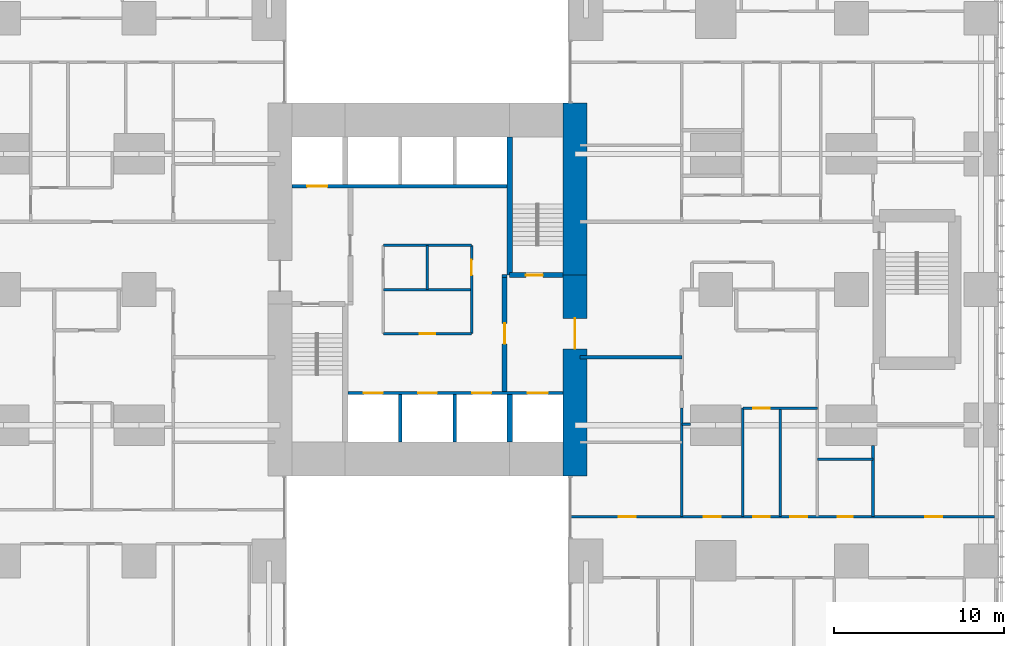
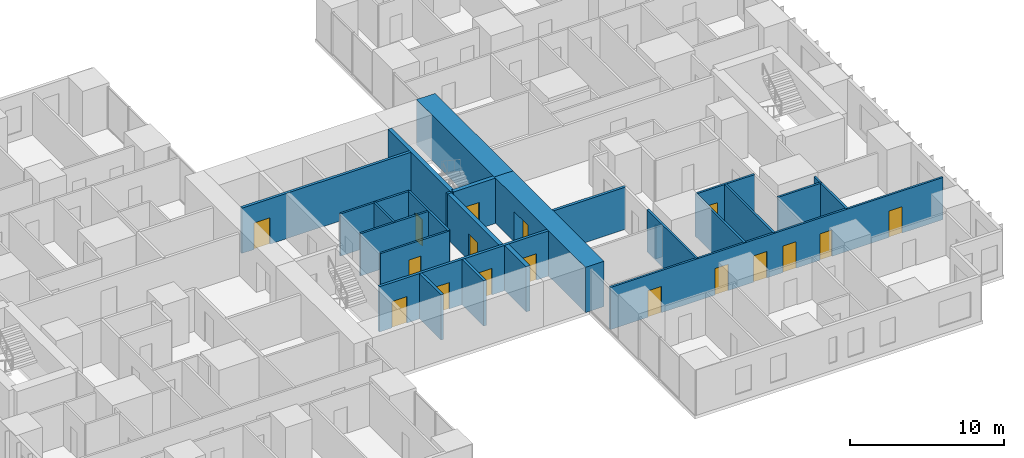
# One storey, part 15 of 20: 25 walls, 17 doors, 17 openings.
"""IFC4 building model written with IfcOpenShell, lengths in metres."""

from ifc_helpers import new_model, si_unit, direction, frame, frame_2d, origin, place, context, subcontext, project, spatial, rectangle, extrude, material, layer, layer_set, type_object, element, fill, save


model = new_model("IFC4")

# Units and contexts
model_context = context("Model", 3, precision=1e-05, world=origin(), true_north=direction((0.0, 1.0)))
body_context = subcontext(model_context, "Body", "Model", "MODEL_VIEW")
ifc_project = project(units=[si_unit("LENGTHUNIT", "METRE"), si_unit("AREAUNIT", "SQUARE_METRE"), si_unit("VOLUMEUNIT", "CUBIC_METRE"), si_unit("PLANEANGLEUNIT", "RADIAN"), si_unit("MASSUNIT", "GRAM", prefix="KILO")], contexts=[model_context])

# Site, building, storey
site_placement = place(None, origin())
site = spatial("IfcSite", under=ifc_project, at=site_placement, CompositionType="ELEMENT")
building_placement = place(site_placement, origin())
building = spatial("IfcBuilding", under=site, at=building_placement, Name="Cleftline Residences", CompositionType="ELEMENT")
storey_placement = place(building_placement, frame((0.0, 0.0, 76.39990234375)))
storey = spatial("IfcBuildingStorey", under=building, at=storey_placement, Name="L19", CompositionType="ELEMENT", Elevation=76.39990234375)

# Wall, opening, door
ifc_material_1 = material(Name="Concrete B70", Category="concrete")
ifc_layer_1 = layer(ifc_material_1, 1.39990234375)
ifc_layer_set_1 = layer_set([ifc_layer_1], Name="CORE WALL 1400")
wall_type_1 = type_object("IfcWallType", Name="CORE WALL 1400", PredefinedType="SHEAR", material=ifc_layer_set_1)
wall_1_placement = place(storey_placement, frame((41.699951171875, 13.0, 0.0), z_axis=(0.0, 0.0, 1.0), x_axis=(0.0, 1.0, 0.0)))
wall_1 = element("IfcWall", 1, at=wall_1_placement, inside=storey, type_object=wall_type_1, Name="Core wall E", PredefinedType="SHEAR", context=body_context, shape_type="SweptSolid", body=[
    extrude(rectangle(XDim=11.85009765625, YDim=1.39990234375, at=frame_2d((5.925048828125, 0.0))), origin(), (0.0, 0.0, 1.0), 3.60009765625),
])
opening_1_placement = place(wall_1_placement, frame((7.5, 0.0, 0.0)))
opening_1 = element("IfcOpeningElement", 2, at=opening_1_placement, cuts=wall_1, Name="Opening D7", PredefinedType="OPENING", context=body_context, shape_type="SweptSolid", body=[
    extrude(rectangle(XDim=1.800048828125, YDim=2.39990234375, at=frame_2d((0.89990234375, 1.199951171875))), frame((0.0, 0.7099609375, 0.0), z_axis=(0.0, -1.0, 0.0), x_axis=(1.0, 0.0, 0.0)), (0.0, 0.0, 1.0), 1.419921875),
])
ifc_material_2 = material(Name="Steel", Category="steel")
door_type_1 = type_object("IfcDoorType", Name="WING DOOR 1800X2400", OperationType="DOUBLE_DOOR_DOUBLE_SWING", PredefinedType="DOOR", material=ifc_material_2)
door_1_placement = place(opening_1_placement, origin())
door_1 = element("IfcDoor", 3, at=door_1_placement, inside=storey, type_object=door_type_1, Name="East wing door", OperationType="DOUBLE_DOOR_DOUBLE_SWING", OverallHeight=2.39990234375, OverallWidth=1.800048828125, PredefinedType="DOOR", context=body_context, shape_type="SweptSolid", body=[
    extrude(rectangle(XDim=1.800048828125, YDim=2.39990234375, at=frame_2d((0.89990234375, 1.199951171875))), frame((0.0, 0.02490234375, 0.0), z_axis=(0.0, -1.0, 0.0), x_axis=(1.0, 0.0, 0.0)), (0.0, 0.0, 1.0), 0.050048828125),
])
fill(opening_1, door_1)

# Walls
wall_2_placement = place(storey_placement, frame((41.699951171875, 24.85009765625, 0.0), z_axis=(0.0, 0.0, 1.0), x_axis=(0.0, 1.0, 0.0)))
element("IfcWall", 4, at=wall_2_placement, inside=storey, type_object=wall_type_1, Name="Core wall E1", PredefinedType="SHEAR", context=body_context, shape_type="SweptSolid", body=[
    extrude(rectangle(XDim=10.14990234375, YDim=1.39990234375, at=frame_2d((5.074951171875, 0.0))), origin(), (0.0, 0.0, 1.0), 3.60009765625),
])
ifc_material_3 = material(Name="Concrete B70", Category="concrete")
ifc_layer_2 = layer(ifc_material_3, 0.300048828125)
ifc_layer_set_2 = layer_set([ifc_layer_2], Name="CORE WALL 300")
wall_type_2 = type_object("IfcWallType", Name="CORE WALL 300", PredefinedType="SHEAR", material=ifc_layer_set_2)
wall_3_placement = place(storey_placement, frame((37.85009765625, 24.85009765625, 0.0), z_axis=(0.0, 0.0, 1.0), x_axis=(0.0, 1.0, 0.0)))
element("IfcWall", 5, at=wall_3_placement, inside=storey, type_object=wall_type_2, Name="Core wall SB-W", PredefinedType="SHEAR", context=body_context, shape_type="SweptSolid", body=[
    extrude(rectangle(XDim=8.14990234375, YDim=0.300048828125, at=frame_2d((4.074951171875, 0.0))), origin(), (0.0, 0.0, 1.0), 3.60009765625),
])

# Wall, opening, door
wall_4_placement = place(storey_placement, frame((37.85009765625, 24.85009765625, 0.0), z_axis=(0.0, 0.0, 1.0), x_axis=(1.0, 0.0, 0.0)))
wall_4 = element("IfcWall", 6, at=wall_4_placement, inside=storey, type_object=wall_type_2, Name="Core wall SB-S", PredefinedType="SHEAR", context=body_context, shape_type="SweptSolid", body=[
    extrude(rectangle(XDim=3.14990234375, YDim=0.300048828125, at=frame_2d((1.574951171875, 0.0))), origin(), (0.0, 0.0, 1.0), 3.60009765625),
])
opening_2_placement = place(wall_4_placement, frame((0.949951171875, 0.0, 0.0)))
opening_2 = element("IfcOpeningElement", 7, at=opening_2_placement, cuts=wall_4, Name="Opening D5", PredefinedType="OPENING", context=body_context, shape_type="SweptSolid", body=[
    extrude(rectangle(XDim=1.0, YDim=2.10009765625, at=frame_2d((0.5, 1.050048828125))), frame((0.0, 0.159912109375, 0.0), z_axis=(0.0, -1.0, 0.0), x_axis=(1.0, 0.0, 0.0)), (0.0, 0.0, 1.0), 0.320068359375),
])
ifc_material_4 = material(Name="Steel", Category="steel")
door_type_2 = type_object("IfcDoorType", Name="STAIR DOOR 1000X2100", OperationType="SINGLE_SWING_LEFT", PredefinedType="DOOR", material=ifc_material_4)
door_2_placement = place(opening_2_placement, origin())
door_2 = element("IfcDoor", 8, at=door_2_placement, inside=storey, type_object=door_type_2, Name="Stair B door", OperationType="SINGLE_SWING_RIGHT", OverallHeight=2.10009765625, OverallWidth=1.0, PredefinedType="DOOR", context=body_context, shape_type="SweptSolid", body=[
    extrude(rectangle(XDim=1.0, YDim=2.10009765625, at=frame_2d((0.5, 1.050048828125))), frame((0.0, 0.02490234375, 0.0), z_axis=(0.0, -1.0, 0.0), x_axis=(1.0, 0.0, 0.0)), (0.0, 0.0, 1.0), 0.050048828125),
])
fill(opening_2, door_2)

# Walls
wall_5_placement = place(storey_placement, frame((37.85009765625, 15.0, 0.0), z_axis=(0.0, 0.0, 1.0), x_axis=(0.0, 1.0, 0.0)))
element("IfcWall", 9, at=wall_5_placement, inside=storey, type_object=wall_type_2, Name="Lift shaft wall", PredefinedType="SHEAR", context=body_context, shape_type="SweptSolid", body=[
    extrude(rectangle(XDim=2.800048828125, YDim=0.300048828125, at=frame_2d((1.39990234375, 0.0))), origin(), (0.0, 0.0, 1.0), 3.60009765625),
])
ifc_material_5 = material(Name="Concrete blockwork, fire rated", Category="masonry")
ifc_layer_3 = layer(ifc_material_5, 0.199951171875)
ifc_layer_set_3 = layer_set([ifc_layer_3], Name="FIRE WALL 200")
wall_type_3 = type_object("IfcWallType", Name="FIRE WALL 200", PredefinedType="PARTITIONING", material=ifc_layer_set_3)
wall_6_placement = place(storey_placement, frame((42.0, 20.0, 0.0), z_axis=(0.0, 0.0, 1.0), x_axis=(1.0, 0.0, 0.0)))
element("IfcWall", 10, at=wall_6_placement, inside=storey, type_object=wall_type_3, Name="Fire separating wall", PredefinedType="PARTITIONING", context=body_context, shape_type="SweptSolid", body=[
    extrude(rectangle(XDim=6.0, YDim=0.199951171875, at=frame_2d((3.0, 0.0))), origin(), (0.0, 0.0, 1.0), 3.35009765625),
])
wall_7_placement = place(storey_placement, frame((37.39990234375, 24.800048828125, 0.0), z_axis=(0.0, 0.0, 1.0), x_axis=(1.0, 0.0, 0.0)))
element("IfcWall", 11, at=wall_7_placement, inside=storey, type_object=wall_type_3, Name="Fire separating wall", PredefinedType="PARTITIONING", context=body_context, shape_type="SweptSolid", body=[
    extrude(rectangle(XDim=0.300048828125, YDim=0.199951171875, at=frame_2d((0.14990234375, 0.0))), origin(), (0.0, 0.0, 1.0), 3.60009765625),
])

# Wall, openings, doors
ifc_material_6 = material(Name="Gypsum board on steel studs", Category="steel")
ifc_layer_4 = layer(ifc_material_6, 0.14990234375)
ifc_layer_set_4 = layer_set([ifc_layer_4], Name="PARTITION 150")
wall_type_4 = type_object("IfcWallType", Name="PARTITION 150", PredefinedType="PARTITIONING", material=ifc_layer_set_4)
wall_8_placement = place(storey_placement, frame((41.43896484375, 10.60009765625, 0.0), z_axis=(0.0, 0.0, 1.0), x_axis=(1.0, 0.0, 0.0)))
wall_8 = element("IfcWall", 12, at=wall_8_placement, inside=storey, type_object=wall_type_4, Name="Partition", PredefinedType="PARTITIONING", context=body_context, shape_type="SweptSolid", body=[
    extrude(rectangle(XDim=25.010986328125, YDim=0.14990234375, at=frame_2d((12.50537109375, 0.0))), origin(), (0.0, 0.0, 1.0), 3.35009765625),
])
opening_3_placement = place(wall_8_placement, frame((10.760986328125, 0.0, 0.0)))
opening_3 = element("IfcOpeningElement", 13, at=opening_3_placement, cuts=wall_8, Name="Opening D2", PredefinedType="OPENING", context=body_context, shape_type="SweptSolid", body=[
    extrude(rectangle(XDim=1.0, YDim=2.10009765625, at=frame_2d((0.5, 1.050048828125))), frame((0.0, 0.0849609375, 0.0), z_axis=(0.0, -1.0, 0.0), x_axis=(1.0, 0.0, 0.0)), (0.0, 0.0, 1.0), 0.169921875),
])
opening_4_placement = place(wall_8_placement, frame((20.923583984375, 0.0, 0.0)))
opening_4 = element("IfcOpeningElement", 14, at=opening_4_placement, cuts=wall_8, Name="Opening D2", PredefinedType="OPENING", context=body_context, shape_type="SweptSolid", body=[
    extrude(rectangle(XDim=1.0, YDim=2.10009765625, at=frame_2d((0.5, 1.050048828125))), frame((0.0, 0.0849609375, 0.0), z_axis=(0.0, -1.0, 0.0), x_axis=(1.0, 0.0, 0.0)), (0.0, 0.0, 1.0), 0.169921875),
])
opening_5_placement = place(wall_8_placement, frame((15.74853515625, 0.0, 0.0)))
opening_5 = element("IfcOpeningElement", 15, at=opening_5_placement, cuts=wall_8, Name="Opening D1", PredefinedType="OPENING", context=body_context, shape_type="SweptSolid", body=[
    extrude(rectangle(XDim=0.89990234375, YDim=2.10009765625, at=frame_2d((0.449951171875, 1.050048828125))), frame((0.0, 0.0849609375, 0.0), z_axis=(0.0, -1.0, 0.0), x_axis=(1.0, 0.0, 0.0)), (0.0, 0.0, 1.0), 0.169921875),
])
opening_6_placement = place(wall_8_placement, frame((12.9609375, 0.0, 0.0)))
opening_6 = element("IfcOpeningElement", 16, at=opening_6_placement, cuts=wall_8, Name="Opening D2", PredefinedType="OPENING", context=body_context, shape_type="SweptSolid", body=[
    extrude(rectangle(XDim=1.0, YDim=2.10009765625, at=frame_2d((0.5, 1.050048828125))), frame((0.0, 0.0849609375, 0.0), z_axis=(0.0, -1.0, 0.0), x_axis=(1.0, 0.0, 0.0)), (0.0, 0.0, 1.0), 0.169921875),
])
opening_7_placement = place(wall_8_placement, frame((7.861083984375, 0.0, 0.0)))
opening_7 = element("IfcOpeningElement", 17, at=opening_7_placement, cuts=wall_8, Name="Opening D2", PredefinedType="OPENING", context=body_context, shape_type="SweptSolid", body=[
    extrude(rectangle(XDim=1.0, YDim=2.10009765625, at=frame_2d((0.5, 1.050048828125))), frame((0.0, 0.0849609375, 0.0), z_axis=(0.0, -1.0, 0.0), x_axis=(1.0, 0.0, 0.0)), (0.0, 0.0, 1.0), 0.169921875),
])
opening_8_placement = place(wall_8_placement, frame((2.8359375, 0.0, 0.0)))
opening_8 = element("IfcOpeningElement", 18, at=opening_8_placement, cuts=wall_8, Name="Opening D2", PredefinedType="OPENING", context=body_context, shape_type="SweptSolid", body=[
    extrude(rectangle(XDim=1.0, YDim=2.10009765625, at=frame_2d((0.5, 1.050048828125))), frame((0.0, 0.0849609375, 0.0), z_axis=(0.0, -1.0, 0.0), x_axis=(1.0, 0.0, 0.0)), (0.0, 0.0, 1.0), 0.169921875),
])
ifc_material_7 = material(Name="Timber veneer on solid core", Category="wood")
door_type_3 = type_object("IfcDoorType", Name="DOOR 1000X2100", OperationType="SINGLE_SWING_LEFT", PredefinedType="DOOR", material=ifc_material_7)
door_3_placement = place(opening_3_placement, origin())
door_3 = element("IfcDoor", 19, at=door_3_placement, inside=storey, type_object=door_type_3, Name="Door to residence hall", OperationType="SINGLE_SWING_RIGHT", OverallHeight=2.10009765625, OverallWidth=1.0, PredefinedType="DOOR", context=body_context, shape_type="SweptSolid", body=[
    extrude(rectangle(XDim=1.0, YDim=2.10009765625, at=frame_2d((0.5, 1.050048828125))), frame((0.0, 0.02490234375, 0.0), z_axis=(0.0, -1.0, 0.0), x_axis=(1.0, 0.0, 0.0)), (0.0, 0.0, 1.0), 0.050048828125),
])
fill(opening_3, door_3)
door_4_placement = place(opening_4_placement, origin())
door_4 = element("IfcDoor", 20, at=door_4_placement, inside=storey, type_object=door_type_3, Name="Door to sea-view living room", OperationType="SINGLE_SWING_LEFT", OverallHeight=2.10009765625, OverallWidth=1.0, PredefinedType="DOOR", context=body_context, shape_type="SweptSolid", body=[
    extrude(rectangle(XDim=1.0, YDim=2.10009765625, at=frame_2d((0.5, 1.050048828125))), frame((0.0, 0.02490234375, 0.0), z_axis=(0.0, -1.0, 0.0), x_axis=(1.0, 0.0, 0.0)), (0.0, 0.0, 1.0), 0.050048828125),
])
fill(opening_4, door_4)
door_5_placement = place(opening_6_placement, origin())
door_5 = element("IfcDoor", 21, at=door_5_placement, inside=storey, type_object=door_type_3, Name="Door to show kitchen", OperationType="SINGLE_SWING_LEFT", OverallHeight=2.10009765625, OverallWidth=1.0, PredefinedType="DOOR", context=body_context, shape_type="SweptSolid", body=[
    extrude(rectangle(XDim=1.0, YDim=2.10009765625, at=frame_2d((0.5, 1.050048828125))), frame((0.0, 0.02490234375, 0.0), z_axis=(0.0, -1.0, 0.0), x_axis=(1.0, 0.0, 0.0)), (0.0, 0.0, 1.0), 0.050048828125),
])
fill(opening_6, door_5)
door_6_placement = place(opening_7_placement, origin())
door_6 = element("IfcDoor", 22, at=door_6_placement, inside=storey, type_object=door_type_3, Name="Door to wet kitchen", OperationType="SINGLE_SWING_RIGHT", OverallHeight=2.10009765625, OverallWidth=1.0, PredefinedType="DOOR", context=body_context, shape_type="SweptSolid", body=[
    extrude(rectangle(XDim=1.0, YDim=2.10009765625, at=frame_2d((0.5, 1.050048828125))), frame((0.0, 0.02490234375, 0.0), z_axis=(0.0, -1.0, 0.0), x_axis=(1.0, 0.0, 0.0)), (0.0, 0.0, 1.0), 0.050048828125),
])
fill(opening_7, door_6)
door_7_placement = place(opening_8_placement, origin())
door_7 = element("IfcDoor", 23, at=door_7_placement, inside=storey, type_object=door_type_3, Name="Door to study", OperationType="SINGLE_SWING_RIGHT", OverallHeight=2.10009765625, OverallWidth=1.0, PredefinedType="DOOR", context=body_context, shape_type="SweptSolid", body=[
    extrude(rectangle(XDim=1.0, YDim=2.10009765625, at=frame_2d((0.5, 1.050048828125))), frame((0.0, 0.02490234375, 0.0), z_axis=(0.0, -1.0, 0.0), x_axis=(1.0, 0.0, 0.0)), (0.0, 0.0, 1.0), 0.050048828125),
])
fill(opening_8, door_7)
ifc_material_8 = material(Name="Timber veneer on solid core", Category="wood")
door_type_4 = type_object("IfcDoorType", Name="DOOR 900X2100", OperationType="SINGLE_SWING_LEFT", PredefinedType="DOOR", material=ifc_material_8)
door_8_placement = place(opening_5_placement, origin())
door_8 = element("IfcDoor", 24, at=door_8_placement, inside=storey, type_object=door_type_4, Name="Door to master bathroom", OperationType="SINGLE_SWING_LEFT", OverallHeight=2.10009765625, OverallWidth=0.89990234375, PredefinedType="DOOR", context=body_context, shape_type="SweptSolid", body=[
    extrude(rectangle(XDim=0.89990234375, YDim=2.10009765625, at=frame_2d((0.449951171875, 1.050048828125))), frame((0.0, 0.02490234375, 0.0), z_axis=(0.0, -1.0, 0.0), x_axis=(1.0, 0.0, 0.0)), (0.0, 0.0, 1.0), 0.050048828125),
])
fill(opening_5, door_8)

# Walls
wall_9_placement = place(storey_placement, frame((56.0, 14.0, 0.0), z_axis=(0.0, 0.0, 1.0), x_axis=(1.0, 0.0, 0.0)))
element("IfcWall", 25, at=wall_9_placement, inside=storey, type_object=wall_type_4, Name="Partition", PredefinedType="PARTITIONING", context=body_context, shape_type="SweptSolid", body=[
    extrude(rectangle(XDim=3.27490234375, YDim=0.14990234375, at=frame_2d((1.637451171875, 0.0))), origin(), (0.0, 0.0, 1.0), 3.35009765625),
])
wall_10_placement = place(storey_placement, frame((48.0, 16.050048828125, 0.0), z_axis=(0.0, 0.0, 1.0), x_axis=(1.0, 0.0, 0.0)))
element("IfcWall", 26, at=wall_10_placement, inside=storey, type_object=wall_type_4, Name="Partition", PredefinedType="PARTITIONING", context=body_context, shape_type="SweptSolid", body=[
    extrude(rectangle(XDim=0.5, YDim=0.14990234375, at=frame_2d((0.25, 0.0))), origin(), (0.0, 0.0, 1.0), 2.634033203125),
])

# Wall, opening, door
wall_11_placement = place(storey_placement, frame((51.60009765625, 17.0, 0.0), z_axis=(0.0, 0.0, 1.0), x_axis=(1.0, 0.0, 0.0)))
wall_11 = element("IfcWall", 27, at=wall_11_placement, inside=storey, type_object=wall_type_4, Name="Partition", PredefinedType="PARTITIONING", context=body_context, shape_type="SweptSolid", body=[
    extrude(rectangle(XDim=4.39990234375, YDim=0.14990234375, at=frame_2d((2.199951171875, 0.0))), origin(), (0.0, 0.0, 1.0), 3.35009765625),
])
opening_9_placement = place(wall_11_placement, frame((0.60009765625, 0.0, 0.0)))
opening_9 = element("IfcOpeningElement", 28, at=opening_9_placement, cuts=wall_11, Name="Opening D2", PredefinedType="OPENING", context=body_context, shape_type="SweptSolid", body=[
    extrude(rectangle(XDim=1.0, YDim=2.10009765625, at=frame_2d((0.5, 1.050048828125))), frame((0.0, 0.0849609375, 0.0), z_axis=(0.0, -1.0, 0.0), x_axis=(1.0, 0.0, 0.0)), (0.0, 0.0, 1.0), 0.169921875),
])
door_9_placement = place(opening_9_placement, origin())
door_9 = element("IfcDoor", 29, at=door_9_placement, inside=storey, type_object=door_type_3, Name="Door to residence passage", OperationType="SINGLE_SWING_RIGHT", OverallHeight=2.10009765625, OverallWidth=1.0, PredefinedType="DOOR", context=body_context, shape_type="SweptSolid", body=[
    extrude(rectangle(XDim=1.0, YDim=2.10009765625, at=frame_2d((0.5, 1.050048828125))), frame((0.0, 0.02490234375, 0.0), z_axis=(0.0, -1.0, 0.0), x_axis=(1.0, 0.0, 0.0)), (0.0, 0.0, 1.0), 0.050048828125),
])
fill(opening_9, door_9)

# Walls
for number, where, z_axis, x_axis, name in (
    (30, (48.0, 10.60009765625, 0.0), (0.0, 0.0, 1.0), (0.0, 1.0, 0.0), "Partition"),
    (31, (51.60009765625, 10.60009765625, 0.0), (0.0, 0.0, 1.0), (0.0, 1.0, 0.0), "Partition"),
    (32, (53.800048828125, 10.60009765625, 0.0), (0.0, 0.0, 1.0), (0.0, 1.0, 0.0), "Partition"),
):
    element("IfcWall", number, at=place(storey_placement, frame(where, z_axis=z_axis, x_axis=x_axis)), inside=storey, type_object=wall_type_4, Name=name, PredefinedType="PARTITIONING", context=body_context, shape_type="SweptSolid", body=[
        extrude(rectangle(XDim=6.39990234375, YDim=0.14990234375, at=frame_2d((3.199951171875, 0.0))), origin(), (0.0, 0.0, 1.0), 3.35009765625),
    ])
wall_12_placement = place(storey_placement, frame((59.27490234375, 10.60009765625, 0.0), z_axis=(0.0, 0.0, 1.0), x_axis=(0.0, 1.0, 0.0)))
element("IfcWall", 33, at=wall_12_placement, inside=storey, type_object=wall_type_4, Name="Partition", PredefinedType="PARTITIONING", context=body_context, shape_type="SweptSolid", body=[
    extrude(rectangle(XDim=4.199951171875, YDim=0.14990234375, at=frame_2d((2.10009765625, 0.0))), origin(), (0.0, 0.0, 1.0), 3.35009765625),
])

# Wall, opening, door
ifc_material_9 = material(Name="Fire-resisting gypsum board on steel studs", Category="steel")
ifc_layer_5 = layer(ifc_material_9, 0.14990234375)
ifc_layer_set_5 = layer_set([ifc_layer_5], Name="PARTITION 150 EI 60")
wall_type_5 = type_object("IfcWallType", Name="PARTITION 150 EI 60", PredefinedType="PARTITIONING", material=ifc_layer_set_5)
wall_13_placement = place(storey_placement, frame((30.39990234375, 21.39990234375, 0.0), z_axis=(0.0, 0.0, 1.0), x_axis=(1.0, 0.0, 0.0)))
wall_13 = element("IfcWall", 34, at=wall_13_placement, inside=storey, type_object=wall_type_5, Name="Core room partition", PredefinedType="PARTITIONING", context=body_context, shape_type="SweptSolid", body=[
    extrude(rectangle(XDim=5.2001953125, YDim=0.14990234375, at=frame_2d((2.60009765625, 0.0))), origin(), (0.0, 0.0, 1.0), 3.35009765625),
])
opening_10_placement = place(wall_13_placement, frame((2.14990234375, 0.0, 0.0)))
opening_10 = element("IfcOpeningElement", 35, at=opening_10_placement, cuts=wall_13, Name="Opening D1F30", PredefinedType="OPENING", context=body_context, shape_type="SweptSolid", body=[
    extrude(rectangle(XDim=0.89990234375, YDim=2.10009765625, at=frame_2d((0.449951171875, 1.050048828125))), frame((0.0, 0.0849609375, 0.0), z_axis=(0.0, -1.0, 0.0), x_axis=(1.0, 0.0, 0.0)), (0.0, 0.0, 1.0), 0.169921875),
])
ifc_material_10 = material(Name="Timber veneer on solid core", Category="wood")
door_type_5 = type_object("IfcDoorType", Name="DOOR 900X2100 EI 30", OperationType="SINGLE_SWING_LEFT", PredefinedType="DOOR", material=ifc_material_10)
door_10_placement = place(opening_10_placement, origin())
door_10 = element("IfcDoor", 36, at=door_10_placement, inside=storey, type_object=door_type_5, Name="Door to cleaner's store", OperationType="SINGLE_SWING_LEFT", OverallHeight=2.10009765625, OverallWidth=0.89990234375, PredefinedType="DOOR", context=body_context, shape_type="SweptSolid", body=[
    extrude(rectangle(XDim=0.89990234375, YDim=2.10009765625, at=frame_2d((0.449951171875, 1.050048828125))), frame((0.0, 0.02490234375, 0.0), z_axis=(0.0, -1.0, 0.0), x_axis=(1.0, 0.0, 0.0)), (0.0, 0.0, 1.0), 0.050048828125),
])
fill(opening_10, door_10)

# Wall
wall_14_placement = place(storey_placement, frame((30.39990234375, 26.60009765625, 0.0), z_axis=(0.0, 0.0, 1.0), x_axis=(1.0, 0.0, 0.0)))
element("IfcWall", 37, at=wall_14_placement, inside=storey, type_object=wall_type_5, Name="Core room partition", PredefinedType="PARTITIONING", context=body_context, shape_type="SweptSolid", body=[
    extrude(rectangle(XDim=5.2001953125, YDim=0.14990234375, at=frame_2d((2.60009765625, 0.0))), origin(), (0.0, 0.0, 1.0), 3.35009765625),
])

# Wall, opening, door
wall_15_placement = place(storey_placement, frame((35.60009765625, 21.39990234375, 0.0), z_axis=(0.0, 0.0, 1.0), x_axis=(0.0, 1.0, 0.0)))
wall_15 = element("IfcWall", 38, at=wall_15_placement, inside=storey, type_object=wall_type_5, Name="Core room partition", PredefinedType="PARTITIONING", context=body_context, shape_type="SweptSolid", body=[
    extrude(rectangle(XDim=5.2001953125, YDim=0.14990234375, at=frame_2d((2.60009765625, 0.0))), origin(), (0.0, 0.0, 1.0), 3.35009765625),
])
opening_11_placement = place(wall_15_placement, frame((3.449951171875, 0.0, 0.0)))
opening_11 = element("IfcOpeningElement", 39, at=opening_11_placement, cuts=wall_15, Name="Opening D1F30", PredefinedType="OPENING", context=body_context, shape_type="SweptSolid", body=[
    extrude(rectangle(XDim=0.89990234375, YDim=2.10009765625, at=frame_2d((0.449951171875, 1.050048828125))), frame((0.0, 0.0849609375, 0.0), z_axis=(0.0, -1.0, 0.0), x_axis=(1.0, 0.0, 0.0)), (0.0, 0.0, 1.0), 0.169921875),
])
door_11_placement = place(opening_11_placement, origin())
door_11 = element("IfcDoor", 40, at=door_11_placement, inside=storey, type_object=door_type_5, Name="Door to maintenance store", OperationType="SINGLE_SWING_LEFT", OverallHeight=2.10009765625, OverallWidth=0.89990234375, PredefinedType="DOOR", context=body_context, shape_type="SweptSolid", body=[
    extrude(rectangle(XDim=0.89990234375, YDim=2.10009765625, at=frame_2d((0.449951171875, 1.050048828125))), frame((0.0, 0.02490234375, 0.0), z_axis=(0.0, -1.0, 0.0), x_axis=(1.0, 0.0, 0.0)), (0.0, 0.0, 1.0), 0.050048828125),
])
fill(opening_11, door_11)

# Walls
wall_16_placement = place(storey_placement, frame((30.39990234375, 24.0, 0.0), z_axis=(0.0, 0.0, 1.0), x_axis=(1.0, 0.0, 0.0)))
element("IfcWall", 41, at=wall_16_placement, inside=storey, type_object=wall_type_5, Name="Core room partition", PredefinedType="PARTITIONING", context=body_context, shape_type="SweptSolid", body=[
    extrude(rectangle(XDim=5.2001953125, YDim=0.14990234375, at=frame_2d((2.60009765625, 0.0))), origin(), (0.0, 0.0, 1.0), 3.35009765625),
])
wall_17_placement = place(storey_placement, frame((33.0, 24.0, 0.0), z_axis=(0.0, 0.0, 1.0), x_axis=(0.0, 1.0, 0.0)))
element("IfcWall", 42, at=wall_17_placement, inside=storey, type_object=wall_type_5, Name="Core room partition", PredefinedType="PARTITIONING", context=body_context, shape_type="SweptSolid", body=[
    extrude(rectangle(XDim=2.60009765625, YDim=0.14990234375, at=frame_2d((1.300048828125, 0.0))), origin(), (0.0, 0.0, 1.0), 3.35009765625),
])

# Wall, openings, doors
ifc_material_11 = material(Name="Concrete blockwork, fire rated", Category="masonry")
ifc_layer_6 = layer(ifc_material_11, 0.199951171875)
ifc_layer_set_6 = layer_set([ifc_layer_6], Name="SHAFT WALL 200")
wall_type_6 = type_object("IfcWallType", Name="SHAFT WALL 200", PredefinedType="PARTITIONING", material=ifc_layer_set_6)
wall_18_placement = place(storey_placement, frame((28.300048828125, 17.89990234375, 0.0), z_axis=(0.0, 0.0, 1.0), x_axis=(1.0, 0.0, 0.0)))
wall_18 = element("IfcWall", 43, at=wall_18_placement, inside=storey, type_object=wall_type_6, Name="Lift shaft wall", PredefinedType="PARTITIONING", context=body_context, shape_type="SweptSolid", body=[
    extrude(rectangle(XDim=12.699951171875, YDim=0.199951171875, at=frame_2d((6.35009765625, 0.0))), origin(), (0.0, 0.0, 1.0), 3.60009765625),
])
opening_12_placement = place(wall_18_placement, frame((0.949951171875, 0.0, 0.0)))
opening_12 = element("IfcOpeningElement", 44, at=opening_12_placement, cuts=wall_18, Name="Opening LD1", PredefinedType="OPENING", context=body_context, shape_type="SweptSolid", body=[
    extrude(rectangle(XDim=1.10009765625, YDim=2.10009765625, at=frame_2d((0.550048828125, 1.050048828125))), frame((0.0, 0.10986328125, 0.0), z_axis=(0.0, -1.0, 0.0), x_axis=(1.0, 0.0, 0.0)), (0.0, 0.0, 1.0), 0.219970703125),
])
opening_13_placement = place(wall_18_placement, frame((4.14990234375, 0.0, 0.0)))
opening_13 = element("IfcOpeningElement", 45, at=opening_13_placement, cuts=wall_18, Name="Opening LD1", PredefinedType="OPENING", context=body_context, shape_type="SweptSolid", body=[
    extrude(rectangle(XDim=1.10009765625, YDim=2.10009765625, at=frame_2d((0.550048828125, 1.050048828125))), frame((0.0, 0.10986328125, 0.0), z_axis=(0.0, -1.0, 0.0), x_axis=(1.0, 0.0, 0.0)), (0.0, 0.0, 1.0), 0.219970703125),
])
opening_14_placement = place(wall_18_placement, frame((7.35009765625, 0.0, 0.0)))
opening_14 = element("IfcOpeningElement", 46, at=opening_14_placement, cuts=wall_18, Name="Opening LD1", PredefinedType="OPENING", context=body_context, shape_type="SweptSolid", body=[
    extrude(rectangle(XDim=1.10009765625, YDim=2.10009765625, at=frame_2d((0.550048828125, 1.050048828125))), frame((0.0, 0.10986328125, 0.0), z_axis=(0.0, -1.0, 0.0), x_axis=(1.0, 0.0, 0.0)), (0.0, 0.0, 1.0), 0.219970703125),
])
opening_15_placement = place(wall_18_placement, frame((10.60009765625, 0.0, 0.0)))
opening_15 = element("IfcOpeningElement", 47, at=opening_15_placement, cuts=wall_18, Name="Opening LD2", PredefinedType="OPENING", context=body_context, shape_type="SweptSolid", body=[
    extrude(rectangle(XDim=1.199951171875, YDim=2.10009765625, at=frame_2d((0.60009765625, 1.050048828125))), frame((0.0, 0.10986328125, 0.0), z_axis=(0.0, -1.0, 0.0), x_axis=(1.0, 0.0, 0.0)), (0.0, 0.0, 1.0), 0.219970703125),
])
ifc_material_12 = material(Name="Steel", Category="steel")
door_type_6 = type_object("IfcDoorType", Name="FIREFIGHTING LIFT LANDING DOOR 1200X2100", OperationType="SLIDING_TO_LEFT", PredefinedType="DOOR", material=ifc_material_12)
door_12_placement = place(opening_15_placement, origin())
door_12 = element("IfcDoor", 48, at=door_12_placement, inside=storey, type_object=door_type_6, Name="Lift FL2 landing door", OperationType="SLIDING_TO_LEFT", OverallHeight=2.10009765625, OverallWidth=1.199951171875, PredefinedType="DOOR", context=body_context, shape_type="SweptSolid", body=[
    extrude(rectangle(XDim=1.199951171875, YDim=2.10009765625, at=frame_2d((0.60009765625, 1.050048828125))), frame((0.0, 0.02490234375, 0.0), z_axis=(0.0, -1.0, 0.0), x_axis=(1.0, 0.0, 0.0)), (0.0, 0.0, 1.0), 0.050048828125),
])
fill(opening_15, door_12)
ifc_material_13 = material(Name="Steel", Category="steel")
door_type_7 = type_object("IfcDoorType", Name="LIFT LANDING DOOR 1100X2100", OperationType="SLIDING_TO_LEFT", PredefinedType="DOOR", material=ifc_material_13)
door_13_placement = place(opening_12_placement, origin())
door_13 = element("IfcDoor", 49, at=door_13_placement, inside=storey, type_object=door_type_7, Name="Lift P1 landing door", OperationType="SLIDING_TO_LEFT", OverallHeight=2.10009765625, OverallWidth=1.10009765625, PredefinedType="DOOR", context=body_context, shape_type="SweptSolid", body=[
    extrude(rectangle(XDim=1.10009765625, YDim=2.10009765625, at=frame_2d((0.550048828125, 1.050048828125))), frame((0.0, 0.02490234375, 0.0), z_axis=(0.0, -1.0, 0.0), x_axis=(1.0, 0.0, 0.0)), (0.0, 0.0, 1.0), 0.050048828125),
])
fill(opening_12, door_13)
door_14_placement = place(opening_13_placement, origin())
door_14 = element("IfcDoor", 50, at=door_14_placement, inside=storey, type_object=door_type_7, Name="Lift P2 landing door", OperationType="SLIDING_TO_LEFT", OverallHeight=2.10009765625, OverallWidth=1.10009765625, PredefinedType="DOOR", context=body_context, shape_type="SweptSolid", body=[
    extrude(rectangle(XDim=1.10009765625, YDim=2.10009765625, at=frame_2d((0.550048828125, 1.050048828125))), frame((0.0, 0.02490234375, 0.0), z_axis=(0.0, -1.0, 0.0), x_axis=(1.0, 0.0, 0.0)), (0.0, 0.0, 1.0), 0.050048828125),
])
fill(opening_13, door_14)
door_15_placement = place(opening_14_placement, origin())
door_15 = element("IfcDoor", 51, at=door_15_placement, inside=storey, type_object=door_type_7, Name="Lift P3 landing door", OperationType="SLIDING_TO_LEFT", OverallHeight=2.10009765625, OverallWidth=1.10009765625, PredefinedType="DOOR", context=body_context, shape_type="SweptSolid", body=[
    extrude(rectangle(XDim=1.10009765625, YDim=2.10009765625, at=frame_2d((0.550048828125, 1.050048828125))), frame((0.0, 0.02490234375, 0.0), z_axis=(0.0, -1.0, 0.0), x_axis=(1.0, 0.0, 0.0)), (0.0, 0.0, 1.0), 0.050048828125),
])
fill(opening_14, door_15)

# Wall, opening, door
wall_19_placement = place(storey_placement, frame((25.0, 30.10009765625, 0.0), z_axis=(0.0, 0.0, 1.0), x_axis=(1.0, 0.0, 0.0)))
wall_19 = element("IfcWall", 52, at=wall_19_placement, inside=storey, type_object=wall_type_6, Name="Lift shaft wall", PredefinedType="PARTITIONING", context=body_context, shape_type="SweptSolid", body=[
    extrude(rectangle(XDim=12.699951171875, YDim=0.199951171875, at=frame_2d((6.35009765625, 0.0))), origin(), (0.0, 0.0, 1.0), 3.60009765625),
])
opening_16_placement = place(wall_19_placement, frame((0.89990234375, 0.0, 0.0)))
opening_16 = element("IfcOpeningElement", 53, at=opening_16_placement, cuts=wall_19, Name="Opening LD2", PredefinedType="OPENING", context=body_context, shape_type="SweptSolid", body=[
    extrude(rectangle(XDim=1.199951171875, YDim=2.10009765625, at=frame_2d((0.60009765625, 1.050048828125))), frame((0.0, 0.10986328125, 0.0), z_axis=(0.0, -1.0, 0.0), x_axis=(1.0, 0.0, 0.0)), (0.0, 0.0, 1.0), 0.219970703125),
])
door_16_placement = place(opening_16_placement, origin())
door_16 = element("IfcDoor", 54, at=door_16_placement, inside=storey, type_object=door_type_6, Name="Lift FL1 landing door", OperationType="SLIDING_TO_LEFT", OverallHeight=2.10009765625, OverallWidth=1.199951171875, PredefinedType="DOOR", context=body_context, shape_type="SweptSolid", body=[
    extrude(rectangle(XDim=1.199951171875, YDim=2.10009765625, at=frame_2d((0.60009765625, 1.050048828125))), frame((0.0, 0.02490234375, 0.0), z_axis=(0.0, -1.0, 0.0), x_axis=(1.0, 0.0, 0.0)), (0.0, 0.0, 1.0), 0.050048828125),
])
fill(opening_16, door_16)

# Walls
for number, where, z_axis, x_axis, name in (
    (55, (31.39990234375, 15.0, 0.0), (0.0, 0.0, 1.0), (0.0, 1.0, 0.0), "Lift shaft wall"),
    (56, (34.60009765625, 15.0, 0.0), (0.0, 0.0, 1.0), (0.0, 1.0, 0.0), "Lift shaft wall"),
):
    element("IfcWall", number, at=place(storey_placement, frame(where, z_axis=z_axis, x_axis=x_axis)), inside=storey, type_object=wall_type_6, Name=name, PredefinedType="PARTITIONING", context=body_context, shape_type="SweptSolid", body=[
        extrude(rectangle(XDim=2.800048828125, YDim=0.199951171875, at=frame_2d((1.39990234375, 0.0))), origin(), (0.0, 0.0, 1.0), 3.60009765625),
    ])

# Wall, opening, door
ifc_material_14 = material(Name="Concrete blockwork, fire rated", Category="masonry")
ifc_layer_7 = layer(ifc_material_14, 0.300048828125)
ifc_layer_set_7 = layer_set([ifc_layer_7], Name="STAIR LOBBY WALL 300")
wall_type_7 = type_object("IfcWallType", Name="STAIR LOBBY WALL 300", PredefinedType="PARTITIONING", material=ifc_layer_set_7)
wall_20_placement = place(storey_placement, frame((37.550048828125, 18.0, 0.0), z_axis=(0.0, 0.0, 1.0), x_axis=(0.0, 1.0, 0.0)))
wall_20 = element("IfcWall", 57, at=wall_20_placement, inside=storey, type_object=wall_type_7, Name="Stair and lobby wall FB-W", PredefinedType="PARTITIONING", context=body_context, shape_type="SweptSolid", body=[
    extrude(rectangle(XDim=6.699951171875, YDim=0.300048828125, at=frame_2d((3.35009765625, 0.0))), origin(), (0.0, 0.0, 1.0), 3.60009765625),
])
opening_17_placement = place(wall_20_placement, frame((2.800048828125, 0.0, 0.0)))
opening_17 = element("IfcOpeningElement", 58, at=opening_17_placement, cuts=wall_20, Name="Opening D6", PredefinedType="OPENING", context=body_context, shape_type="SweptSolid", body=[
    extrude(rectangle(XDim=1.199951171875, YDim=2.10009765625, at=frame_2d((0.60009765625, 1.050048828125))), frame((0.0, 0.159912109375, 0.0), z_axis=(0.0, -1.0, 0.0), x_axis=(1.0, 0.0, 0.0)), (0.0, 0.0, 1.0), 0.320068359375),
])
ifc_material_15 = material(Name="Steel", Category="steel")
door_type_8 = type_object("IfcDoorType", Name="LOBBY DOOR 1200X2100", OperationType="SINGLE_SWING_RIGHT", PredefinedType="DOOR", material=ifc_material_15)
door_17_placement = place(opening_17_placement, origin())
door_17 = element("IfcDoor", 59, at=door_17_placement, inside=storey, type_object=door_type_8, Name="Firefighting lobby B door", OperationType="SINGLE_SWING_LEFT", OverallHeight=2.10009765625, OverallWidth=1.199951171875, PredefinedType="DOOR", context=body_context, shape_type="SweptSolid", body=[
    extrude(rectangle(XDim=1.199951171875, YDim=2.10009765625, at=frame_2d((0.60009765625, 1.050048828125))), frame((0.0, 0.02490234375, 0.0), z_axis=(0.0, -1.0, 0.0), x_axis=(1.0, 0.0, 0.0)), (0.0, 0.0, 1.0), 0.050048828125),
])
fill(opening_17, door_17)

save(model, "model.ifc")
